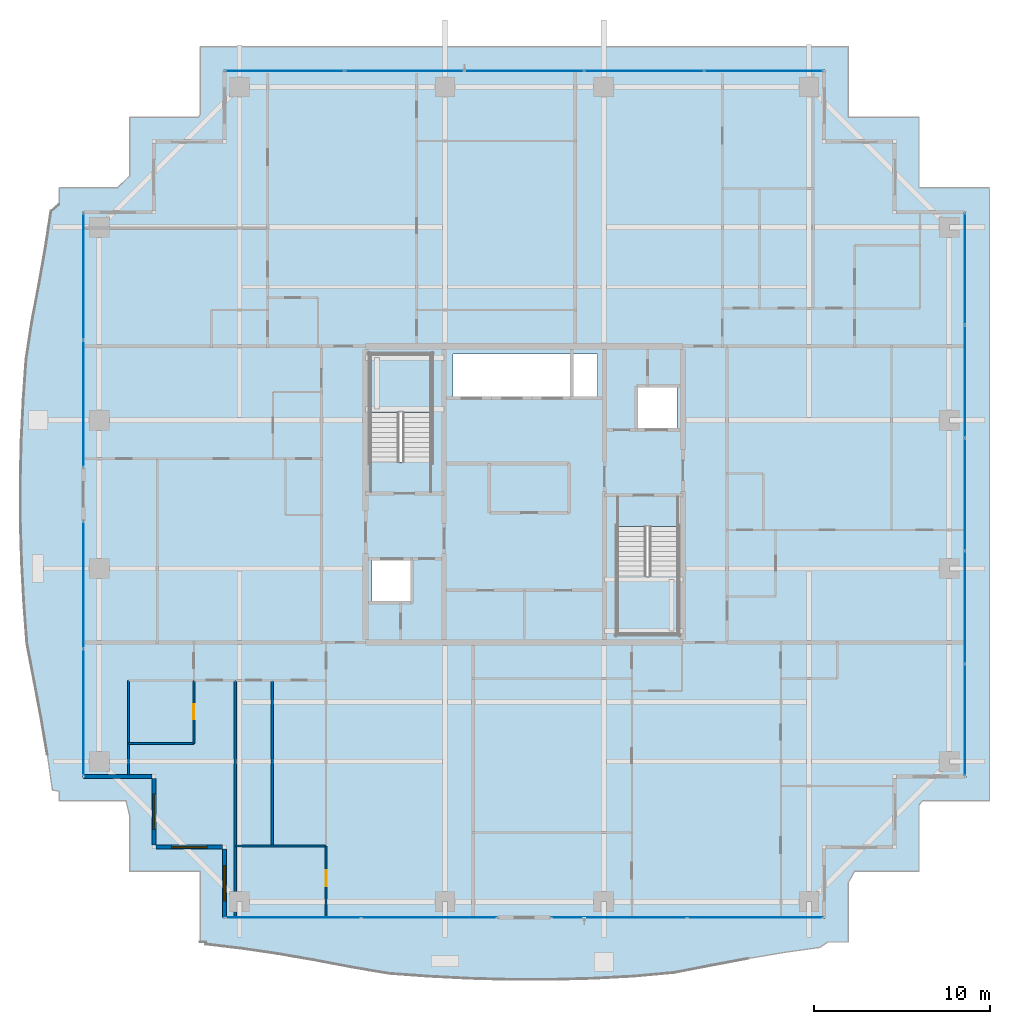
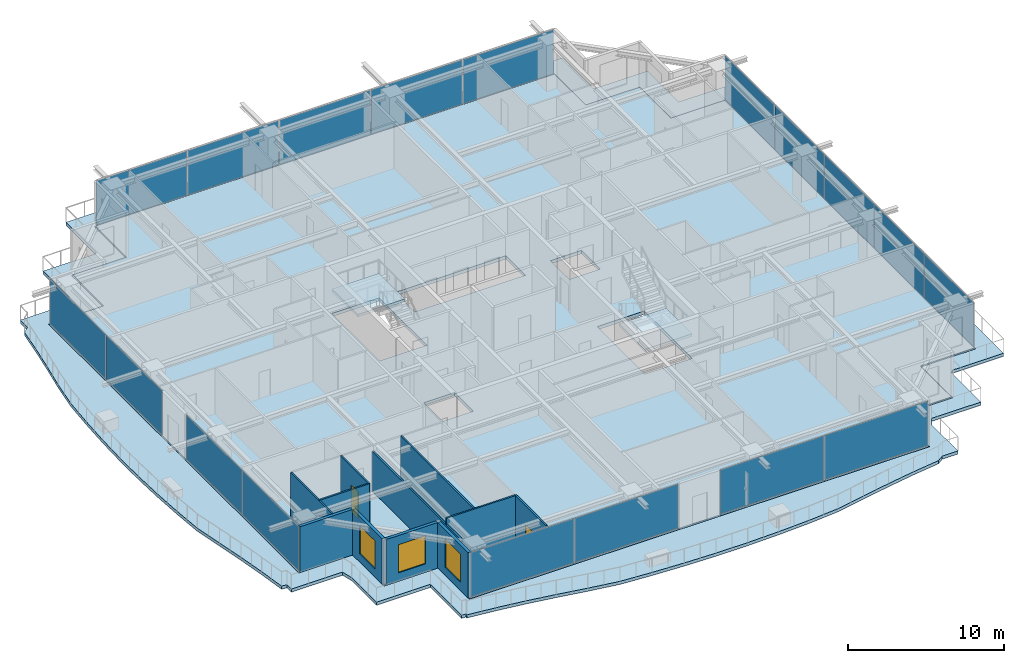
# One storey, part 23 of 37: 18 plates, 11 walls, 4 slabs, 3 windows, 2 doors, 5 openings, 8 elements without a shape of their own.
"""IFC4 building model written with IfcOpenShell, lengths in metres."""

from ifc_helpers import new_model, si_unit, direction, frame, frame_2d, origin, origin_2d, place, context, subcontext, project, spatial, polyline, rectangle, outline, extrude, source, transform, mapped, material, layer, layer_set, type_object, element, fill, aggregate, save


model = new_model("IFC4")

# Units and contexts
model_context = context("Model", 3, precision=1e-05, world=origin(), true_north=direction((0.0, 1.0)))
body_context = subcontext(model_context, "Body", "Model", "MODEL_VIEW")
ifc_project = project(units=[si_unit("LENGTHUNIT", "METRE"), si_unit("AREAUNIT", "SQUARE_METRE"), si_unit("VOLUMEUNIT", "CUBIC_METRE"), si_unit("PLANEANGLEUNIT", "RADIAN"), si_unit("MASSUNIT", "GRAM", prefix="KILO")], contexts=[model_context])

# Site, building, storey
site_placement = place(None, origin())
site = spatial("IfcSite", under=ifc_project, at=site_placement, CompositionType="ELEMENT")
building_placement = place(site_placement, origin())
building = spatial("IfcBuilding", under=site, at=building_placement, Name="Serunith Strait Residences", CompositionType="ELEMENT")
storey_placement = place(building_placement, frame((0.0, 0.0, 218.14990234375)))
storey = spatial("IfcBuildingStorey", under=building, at=storey_placement, Name="L54", CompositionType="ELEMENT", Elevation=218.14990234375)

# Slab
ifc_material_1 = material(Name="Concrete C50/60", Category="concrete")
ifc_layer_1 = layer(ifc_material_1, 0.239990234375, Name="Concrete C50/60")
ifc_layer_set_1 = layer_set([ifc_layer_1], Name="Concrete C50/60")
slab_type_1 = type_object("IfcSlabType", Name="SLB-BALC-240", PredefinedType="FLOOR", material=ifc_layer_set_1)
slab_1_placement = place(storey_placement, frame((0.0, 0.0, -0.289794921875)))
element("IfcSlab", 1, at=slab_1_placement, inside=storey, type_object=slab_type_1, Name="L54 Planted Vertical-Forest Balcony Slab", PredefinedType="FLOOR", context=body_context, shape_type="SweptSolid", body=[
    extrude(outline(polyline([(14.02001953125, -0.179931640625), (14.02001953125, 3.820068359375), (10.02001953125, 3.820068359375), (10.02001953125, 6.98828125), (9.8154296875, 7.820068359375), (6.02001953125, 7.820068359375), (6.02001953125, 8.3701171875), (5.64404296875, 8.432861328125), (5.3525390625, 10.458984375), (5.005615234375, 12.507080078125), (4.614013671875, 14.594970703125), (4.2041015625, 16.7412109375), (4.030029296875, 19.005859375), (3.904541015625, 21.3056640625), (3.83447265625, 23.62890625), (3.826904296875, 25.9619140625), (3.88232421875, 28.289306640625), (3.9951171875, 30.596923828125), (4.154296875, 32.873291015625), (4.49072265625, 35.061279296875), (4.89111328125, 37.16650390625), (5.253173828125, 39.225830078125), (5.561767578125, 41.25830078125), (6.02001953125, 41.644287109375), (6.02001953125, 42.580078125), (9.319580078125, 42.580078125), (10.02001953125, 43.233154296875), (10.02001953125, 46.580078125), (13.9189453125, 46.580078125), (14.02001953125, 46.734619140625), (14.02001953125, 50.580078125), (50.780029296875, 50.580078125), (50.780029296875, 46.580078125), (54.780029296875, 46.580078125), (54.780029296875, 42.580078125), (58.780029296875, 42.580078125), (58.780029296875, 7.820068359375), (54.97509765625, 7.820068359375), (54.780029296875, 7.597900390625), (54.780029296875, 3.820068359375), (51.12060546875, 3.820068359375), (50.780029296875, 3.201416015625), (50.780029296875, -0.179931640625), (49.6103515625, -0.179931640625), (49.1689453125, -0.488525390625), (47.14501953125, -0.77294921875), (45.101318359375, -1.1162109375), (43.018310546875, -1.508056640625), (40.8759765625, -1.9228515625), (38.615234375, -2.12841796875), (36.307861328125, -2.25), (33.976318359375, -2.314208984375), (31.6357421875, -2.314697265625), (29.302001953125, -2.252197265625), (26.990234375, -2.133544921875), (24.711181640625, -1.97021484375), (22.537109375, -1.596923828125), (20.438232421875, -1.1982421875), (18.38330078125, -0.84375), (16.353271484375, -0.54638671875), (14.33251953125, -0.306884765625), (14.33349609375, -0.179931640625), (14.02001953125, -0.179931640625)]), holes=[polyline([(49.455078125, 1.14501953125), (49.455078125, 5.14501953125), (53.455078125, 5.14501953125), (53.455078125, 9.14501953125), (57.455078125, 9.14501953125), (57.455078125, 41.2548828125), (53.455078125, 41.2548828125), (53.455078125, 45.2548828125), (49.455078125, 45.2548828125), (49.455078125, 49.2548828125), (15.344970703125, 49.2548828125), (15.344970703125, 45.2548828125), (11.344970703125, 45.2548828125), (11.344970703125, 41.2548828125), (7.344970703125, 41.2548828125), (7.344970703125, 9.14501953125), (11.344970703125, 9.14501953125), (11.344970703125, 5.14501953125), (15.344970703125, 5.14501953125), (15.344970703125, 1.14501953125), (49.455078125, 1.14501953125)])]), origin(), (0.0, 0.0, 1.0), 0.239990234375),
])

# Stair, slab
stair_type_1 = type_object("IfcStairType", Name="STR-CORE-1", PredefinedType="HALF_TURN_STAIR", material=ifc_material_1)
stair_1_placement = place(storey_placement, origin())
stair_1 = element("IfcStair", 2, at=stair_1_placement, inside=storey, type_object=stair_type_1, Name="L54 Protected Escape Stair ST-1", PredefinedType="HALF_TURN_STAIR")
ifc_layer_2 = layer(ifc_material_1, 0.199951171875, Name="Concrete C50/60")
ifc_layer_set_2 = layer_set([ifc_layer_2], Name="Concrete C50/60")
slab_type_2 = type_object("IfcSlabType", Name="SLB-LAND-200", PredefinedType="LANDING", material=ifc_layer_set_2)
slab_2_placement = place(storey_placement, frame((0.0, 0.0, 1.72509765625)))
slab_2 = element("IfcSlab", 3, at=slab_2_placement, type_object=slab_type_2, Name="ST-1 landing 1", PredefinedType="LANDING", context=body_context, shape_type="SweptSolid", body=[
    extrude(outline(polyline([(27.14990234375, 29.830078125), (27.14990234375, 33.14990234375), (23.64990234375, 33.14990234375), (23.64990234375, 29.830078125), (27.14990234375, 29.830078125)])), origin(), (0.0, 0.0, 1.0), 0.199951171875),
])
aggregate(stair_1, [slab_2])

stair_type_2 = type_object("IfcStairType", Name="STR-CORE-2", PredefinedType="HALF_TURN_STAIR", material=ifc_material_1)
stair_2_placement = place(storey_placement, origin())
stair_2 = element("IfcStair", 4, at=stair_2_placement, inside=storey, type_object=stair_type_2, Name="L54 Protected Escape Stair ST-2", PredefinedType="HALF_TURN_STAIR")
slab_3_placement = place(storey_placement, frame((0.0, 0.0, 1.72509765625)))
slab_3 = element("IfcSlab", 5, at=slab_3_placement, type_object=slab_type_2, Name="ST-2 landing 1", PredefinedType="LANDING", context=body_context, shape_type="SweptSolid", body=[
    extrude(outline(polyline([(37.64990234375, 20.570068359375), (37.64990234375, 17.25), (41.14990234375, 17.25), (41.14990234375, 20.570068359375), (37.64990234375, 20.570068359375)])), origin(), (0.0, 0.0, 1.0), 0.199951171875),
])
aggregate(stair_2, [slab_3])

# Slab
ifc_material_2 = material(Name="Concrete C60/75", Category="concrete")
ifc_layer_3 = layer(ifc_material_2, 0.260009765625, Name="Concrete C60/75")
ifc_layer_set_3 = layer_set([ifc_layer_3], Name="Concrete C60/75")
slab_type_3 = type_object("IfcSlabType", Name="SLB-TWR-275-Z3", PredefinedType="FLOOR", material=ifc_layer_set_3)
slab_4_placement = place(storey_placement, frame((0.0, 0.0, -0.260009765625)))
element("IfcSlab", 6, at=slab_4_placement, inside=storey, type_object=slab_type_3, Name="L54 Structural Floor Plate", PredefinedType="FLOOR", context=body_context, shape_type="SweptSolid", body=[
    extrude(outline(polyline([(15.39990234375, 5.199951171875), (11.39990234375, 5.199951171875), (11.39990234375, 9.199951171875), (7.39990234375, 9.199951171875), (7.39990234375, 41.199951171875), (11.39990234375, 41.199951171875), (11.39990234375, 45.199951171875), (15.39990234375, 45.199951171875), (15.39990234375, 49.199951171875), (49.39990234375, 49.199951171875), (49.39990234375, 45.199951171875), (53.39990234375, 45.199951171875), (53.39990234375, 41.199951171875), (57.39990234375, 41.199951171875), (57.39990234375, 9.199951171875), (53.39990234375, 9.199951171875), (53.39990234375, 5.199951171875), (49.39990234375, 5.199951171875), (49.39990234375, 1.199951171875), (15.39990234375, 1.199951171875), (15.39990234375, 5.199951171875)]), holes=[polyline([(41.14990234375, 23.3701171875), (37.64990234375, 23.3701171875), (37.64990234375, 17.25), (41.14990234375, 17.25), (41.14990234375, 23.3701171875)]), polyline([(38.75, 31.25), (38.75, 28.85009765625), (41.050048828125, 28.85009765625), (41.050048828125, 31.25), (38.75, 31.25)]), polyline([(36.550048828125, 33.14990234375), (28.35009765625, 33.14990234375), (28.35009765625, 30.64990234375), (36.550048828125, 30.64990234375), (36.550048828125, 33.14990234375)]), polyline([(23.64990234375, 33.14990234375), (23.64990234375, 27.030029296875), (27.14990234375, 27.030029296875), (27.14990234375, 33.14990234375), (23.64990234375, 33.14990234375)]), polyline([(23.75, 21.550048828125), (23.75, 19.14990234375), (26.050048828125, 19.14990234375), (26.050048828125, 21.550048828125), (23.75, 21.550048828125)])]), origin(), (0.0, 0.0, 1.0), 0.260009765625),
])

# Curtain wall, plates
ifc_material_3 = material(Name="Pale-Champagne Anodised Aluminium", Category="aluminium")
ifc_layer_4 = layer(ifc_material_3, 0.199951171875, Name="Pale-Champagne Anodised Aluminium")
ifc_layer_set_4 = layer_set([ifc_layer_4], Name="Pale-Champagne Anodised Aluminium")
curtain_wall_type = type_object("IfcCurtainWallType", Name="CW-SYS4", PredefinedType="NOTDEFINED", material=ifc_layer_set_4)
curtain_wall_1_placement = place(storey_placement, origin())
curtain_wall_1 = element("IfcCurtainWall", 7, at=curtain_wall_1_placement, inside=storey, type_object=curtain_wall_type, Name="L54 S Unitised Fritted Curtain Wall", PredefinedType="NOTDEFINED")
ifc_material_4 = material(Name="Ceramic-Printed Solar-Control Glazing 28mm", Category="glass")
ifc_layer_5 = layer(ifc_material_4, 0.028076171875, Name="Ceramic-Printed Solar-Control Glazing 28mm")
ifc_layer_set_5 = layer_set([ifc_layer_5], Name="Ceramic-Printed Solar-Control Glazing 28mm")
plate_type = type_object("IfcPlateType", Name="CW-SYS4-PNL", PredefinedType="CURTAIN_PANEL", material=ifc_layer_set_5)
shared_shape_1 = source(origin(), body_context, "Body", "SweptSolid", [
    extrude(rectangle(XDim=7.652587890625, YDim=0.028076171875, at=origin_2d()), origin(), (0.0, 0.0, 1.0), 3.455078125),
])
plate_1_placement = place(storey_placement, frame((19.291259765625, 1.199951171875, 0.06005859375), z_axis=(0.0, 0.0, 1.0), x_axis=(1.0, 0.0, 0.0)))
plate_1 = element("IfcPlate", 8, at=plate_1_placement, type_object=plate_type, Name="CW-4 panel 1.1", PredefinedType="CURTAIN_PANEL", context=body_context, shape_type="MappedRepresentation", body=[
    mapped(shared_shape_1, transform((0.0, 0.0, 0.0), scale=1.0)),
])
plate_2_placement = place(storey_placement, frame((27.0087890625, 1.199951171875, 0.06005859375), z_axis=(0.0, 0.0, 1.0), x_axis=(1.0, 0.0, 0.0)))
plate_2 = element("IfcPlate", 9, at=plate_2_placement, type_object=plate_type, Name="CW-4 panel 2.1", PredefinedType="CURTAIN_PANEL", context=body_context, shape_type="MappedRepresentation", body=[
    mapped(shared_shape_1, transform((0.0, 0.0, 0.0), scale=1.0)),
])
aggregate(curtain_wall_1, [plate_1, plate_2])

curtain_wall_2_placement = place(storey_placement, origin())
curtain_wall_2 = element("IfcCurtainWall", 10, at=curtain_wall_2_placement, inside=storey, type_object=curtain_wall_type, Name="L54 S Unitised Fritted Curtain Wall", PredefinedType="NOTDEFINED")
plate_3_placement = place(storey_placement, frame((37.791259765625, 1.199951171875, 0.06005859375), z_axis=(0.0, 0.0, 1.0), x_axis=(1.0, 0.0, 0.0)))
plate_3 = element("IfcPlate", 11, at=plate_3_placement, type_object=plate_type, Name="CW-4 panel 1.1", PredefinedType="CURTAIN_PANEL", context=body_context, shape_type="MappedRepresentation", body=[
    mapped(shared_shape_1, transform((0.0, 0.0, 0.0), scale=1.0)),
])
plate_4_placement = place(storey_placement, frame((45.5087890625, 1.199951171875, 0.06005859375), z_axis=(0.0, 0.0, 1.0), x_axis=(1.0, 0.0, 0.0)))
plate_4 = element("IfcPlate", 12, at=plate_4_placement, type_object=plate_type, Name="CW-4 panel 2.1", PredefinedType="CURTAIN_PANEL", context=body_context, shape_type="MappedRepresentation", body=[
    mapped(shared_shape_1, transform((0.0, 0.0, 0.0), scale=1.0)),
])
aggregate(curtain_wall_2, [plate_3, plate_4])

curtain_wall_3_placement = place(storey_placement, origin())
curtain_wall_3 = element("IfcCurtainWall", 13, at=curtain_wall_3_placement, inside=storey, type_object=curtain_wall_type, Name="L54 E Unitised Fritted Curtain Wall", PredefinedType="NOTDEFINED")
shared_shape_2 = source(origin(), body_context, "Body", "SweptSolid", [
    extrude(rectangle(XDim=6.302490234375, YDim=0.028076171875, at=origin_2d()), origin(), (0.0, 0.0, 1.0), 3.455078125),
])
plate_5_placement = place(storey_placement, frame((57.39990234375, 12.416259765625, 0.06005859375), z_axis=(0.0, 0.0, 1.0), x_axis=(0.0, 1.0, 0.0)))
plate_5 = element("IfcPlate", 14, at=plate_5_placement, type_object=plate_type, Name="CW-4 panel 1.1", PredefinedType="CURTAIN_PANEL", context=body_context, shape_type="MappedRepresentation", body=[
    mapped(shared_shape_2, transform((0.0, 0.0, 0.0), scale=1.0)),
])
plate_6_placement = place(storey_placement, frame((57.39990234375, 37.983642578125, 0.06005859375), z_axis=(0.0, 0.0, 1.0), x_axis=(0.0, 1.0, 0.0)))
plate_6 = element("IfcPlate", 15, at=plate_6_placement, type_object=plate_type, Name="CW-4 panel 5.1", PredefinedType="CURTAIN_PANEL", context=body_context, shape_type="MappedRepresentation", body=[
    mapped(shared_shape_2, transform((0.0, 0.0, 0.0), scale=1.0)),
])
shared_shape_3 = source(origin(), body_context, "Body", "SweptSolid", [
    extrude(rectangle(XDim=6.3349609375, YDim=0.028076171875, at=origin_2d()), origin(), (0.0, 0.0, 1.0), 3.455078125),
])
plate_7_placement = place(storey_placement, frame((57.39990234375, 18.800048828125, 0.06005859375), z_axis=(0.0, 0.0, 1.0), x_axis=(0.0, 1.0, 0.0)))
plate_7 = element("IfcPlate", 16, at=plate_7_placement, type_object=plate_type, Name="CW-4 panel 2.1", PredefinedType="CURTAIN_PANEL", context=body_context, shape_type="MappedRepresentation", body=[
    mapped(shared_shape_3, transform((0.0, 0.0, 0.0), scale=1.0)),
])
plate_8_placement = place(storey_placement, frame((57.39990234375, 25.199951171875, 0.06005859375), z_axis=(0.0, 0.0, 1.0), x_axis=(0.0, 1.0, 0.0)))
plate_8 = element("IfcPlate", 17, at=plate_8_placement, type_object=plate_type, Name="CW-4 panel 3.1", PredefinedType="CURTAIN_PANEL", context=body_context, shape_type="MappedRepresentation", body=[
    mapped(shared_shape_3, transform((0.0, 0.0, 0.0), scale=1.0)),
])
plate_9_placement = place(storey_placement, frame((57.39990234375, 31.60009765625, 0.06005859375), z_axis=(0.0, 0.0, 1.0), x_axis=(0.0, 1.0, 0.0)))
plate_9 = element("IfcPlate", 18, at=plate_9_placement, type_object=plate_type, Name="CW-4 panel 4.1", PredefinedType="CURTAIN_PANEL", context=body_context, shape_type="MappedRepresentation", body=[
    mapped(shared_shape_3, transform((0.0, 0.0, 0.0), scale=1.0)),
])
aggregate(curtain_wall_3, [plate_5, plate_7, plate_8, plate_9, plate_6])

curtain_wall_4_placement = place(storey_placement, origin())
curtain_wall_4 = element("IfcCurtainWall", 19, at=curtain_wall_4_placement, inside=storey, type_object=curtain_wall_type, Name="L54 N Unitised Fritted Curtain Wall", PredefinedType="NOTDEFINED")
shared_shape_4 = source(origin(), body_context, "Body", "SweptSolid", [
    extrude(rectangle(XDim=6.702392578125, YDim=0.028076171875, at=origin_2d()), origin(), (0.0, 0.0, 1.0), 3.455078125),
])
plate_10_placement = place(storey_placement, frame((45.983642578125, 49.199951171875, 0.06005859375), z_axis=(0.0, 0.0, 1.0), x_axis=(-1.0, 0.0, 0.0)))
plate_10 = element("IfcPlate", 20, at=plate_10_placement, type_object=plate_type, Name="CW-4 panel 1.1", PredefinedType="CURTAIN_PANEL", context=body_context, shape_type="MappedRepresentation", body=[
    mapped(shared_shape_4, transform((0.0, 0.0, 0.0), scale=1.0)),
])
plate_11_placement = place(storey_placement, frame((18.816162109375, 49.199951171875, 0.06005859375), z_axis=(0.0, 0.0, 1.0), x_axis=(-1.0, 0.0, 0.0)))
plate_11 = element("IfcPlate", 21, at=plate_11_placement, type_object=plate_type, Name="CW-4 panel 5.1", PredefinedType="CURTAIN_PANEL", context=body_context, shape_type="MappedRepresentation", body=[
    mapped(shared_shape_4, transform((0.0, 0.0, 0.0), scale=1.0)),
])
shared_shape_5 = source(origin(), body_context, "Body", "SweptSolid", [
    extrude(rectangle(XDim=6.735107421875, YDim=0.028076171875, at=origin_2d()), origin(), (0.0, 0.0, 1.0), 3.455078125),
])
plate_12_placement = place(storey_placement, frame((39.199951171875, 49.199951171875, 0.06005859375), z_axis=(0.0, 0.0, 1.0), x_axis=(-1.0, 0.0, 0.0)))
plate_12 = element("IfcPlate", 22, at=plate_12_placement, type_object=plate_type, Name="CW-4 panel 2.1", PredefinedType="CURTAIN_PANEL", context=body_context, shape_type="MappedRepresentation", body=[
    mapped(shared_shape_5, transform((0.0, 0.0, 0.0), scale=1.0)),
])
plate_13_placement = place(storey_placement, frame((32.39990234375, 49.199951171875, 0.06005859375), z_axis=(0.0, 0.0, 1.0), x_axis=(-1.0, 0.0, 0.0)))
plate_13 = element("IfcPlate", 23, at=plate_13_placement, type_object=plate_type, Name="CW-4 panel 3.1", PredefinedType="CURTAIN_PANEL", context=body_context, shape_type="MappedRepresentation", body=[
    mapped(shared_shape_5, transform((0.0, 0.0, 0.0), scale=1.0)),
])
plate_14_placement = place(storey_placement, frame((25.60009765625, 49.199951171875, 0.06005859375), z_axis=(0.0, 0.0, 1.0), x_axis=(-1.0, 0.0, 0.0)))
plate_14 = element("IfcPlate", 24, at=plate_14_placement, type_object=plate_type, Name="CW-4 panel 4.1", PredefinedType="CURTAIN_PANEL", context=body_context, shape_type="MappedRepresentation", body=[
    mapped(shared_shape_5, transform((0.0, 0.0, 0.0), scale=1.0)),
])
aggregate(curtain_wall_4, [plate_10, plate_12, plate_13, plate_14, plate_11])

curtain_wall_5_placement = place(storey_placement, origin())
curtain_wall_5 = element("IfcCurtainWall", 25, at=curtain_wall_5_placement, inside=storey, type_object=curtain_wall_type, Name="L54 W Unitised Fritted Curtain Wall", PredefinedType="NOTDEFINED")
shared_shape_6 = source(origin(), body_context, "Body", "SweptSolid", [
    extrude(rectangle(XDim=7.152587890625, YDim=0.028076171875, at=origin_2d()), origin(), (0.0, 0.0, 1.0), 3.455078125),
])
plate_15_placement = place(storey_placement, frame((7.39990234375, 37.558837890625, 0.06005859375), z_axis=(0.0, 0.0, 1.0), x_axis=(0.0, -1.0, 0.0)))
plate_15 = element("IfcPlate", 26, at=plate_15_placement, type_object=plate_type, Name="CW-4 panel 1.1", PredefinedType="CURTAIN_PANEL", context=body_context, shape_type="MappedRepresentation", body=[
    mapped(shared_shape_6, transform((0.0, 0.0, 0.0), scale=1.0)),
])
plate_16_placement = place(storey_placement, frame((7.39990234375, 30.34130859375, 0.06005859375), z_axis=(0.0, 0.0, 1.0), x_axis=(0.0, -1.0, 0.0)))
plate_16 = element("IfcPlate", 27, at=plate_16_placement, type_object=plate_type, Name="CW-4 panel 2.1", PredefinedType="CURTAIN_PANEL", context=body_context, shape_type="MappedRepresentation", body=[
    mapped(shared_shape_6, transform((0.0, 0.0, 0.0), scale=1.0)),
])
aggregate(curtain_wall_5, [plate_15, plate_16])

curtain_wall_6_placement = place(storey_placement, origin())
curtain_wall_6 = element("IfcCurtainWall", 28, at=curtain_wall_6_placement, inside=storey, type_object=curtain_wall_type, Name="L54 W Unitised Fritted Curtain Wall", PredefinedType="NOTDEFINED")
plate_17_placement = place(storey_placement, frame((7.39990234375, 20.058837890625, 0.06005859375), z_axis=(0.0, 0.0, 1.0), x_axis=(0.0, -1.0, 0.0)))
plate_17 = element("IfcPlate", 29, at=plate_17_placement, type_object=plate_type, Name="CW-4 panel 1.1", PredefinedType="CURTAIN_PANEL", context=body_context, shape_type="MappedRepresentation", body=[
    mapped(shared_shape_6, transform((0.0, 0.0, 0.0), scale=1.0)),
])
plate_18_placement = place(storey_placement, frame((7.39990234375, 12.84130859375, 0.06005859375), z_axis=(0.0, 0.0, 1.0), x_axis=(0.0, -1.0, 0.0)))
plate_18 = element("IfcPlate", 30, at=plate_18_placement, type_object=plate_type, Name="CW-4 panel 2.1", PredefinedType="CURTAIN_PANEL", context=body_context, shape_type="MappedRepresentation", body=[
    mapped(shared_shape_6, transform((0.0, 0.0, 0.0), scale=1.0)),
])
aggregate(curtain_wall_6, [plate_17, plate_18])

# Wall
ifc_material_5 = material(Name="Pale-Champagne Aluminium Insulated Panel", Category="aluminium")
ifc_layer_6 = layer(ifc_material_5, 0.219970703125, Name="Pale-Champagne Aluminium Insulated Panel")
ifc_layer_set_6 = layer_set([ifc_layer_6], Name="Pale-Champagne Aluminium Insulated Panel")
wall_type_1 = type_object("IfcWallType", Name="EW-ALUM-220", PredefinedType="ELEMENTEDWALL", material=ifc_layer_set_6)
wall_1_placement = place(storey_placement, frame((7.39990234375, 9.199951171875, 0.0), z_axis=(0.0, 0.0, 1.0), x_axis=(1.0, 0.0, 0.0)))
element("IfcWall", 31, at=wall_1_placement, inside=storey, type_object=wall_type_1, Name="L54 Girih Serrated Corner Wall 17", PredefinedType="ELEMENTEDWALL", context=body_context, shape_type="SweptSolid", body=[
    extrude(rectangle(XDim=3.89013671875, YDim=0.219970703125, at=frame_2d((1.945068359375, 0.0))), origin(), (0.0, 0.0, 1.0), 3.5751953125),
])

# Wall, opening, window
wall_2_placement = place(storey_placement, frame((11.39990234375, 9.090087890625, 0.0), z_axis=(0.0, 0.0, 1.0), x_axis=(0.0, -1.0, 0.0)))
wall_2 = element("IfcWall", 32, at=wall_2_placement, inside=storey, type_object=wall_type_1, Name="L54 Girih Serrated Corner Wall 18", PredefinedType="ELEMENTEDWALL", context=body_context, shape_type="SweptSolid", body=[
    extrude(rectangle(XDim=3.780029296875, YDim=0.219970703125, at=frame_2d((1.89013671875, 0.0))), origin(), (0.0, 0.0, 1.0), 3.5751953125),
])
opening_1_placement = place(wall_2_placement, frame((0.889892578125, 0.0, 0.64990234375)))
opening_1 = element("IfcOpeningElement", 33, at=opening_1_placement, cuts=wall_2, Name="Opening W-04", PredefinedType="OPENING", context=body_context, shape_type="SweptSolid", body=[
    extrude(rectangle(XDim=2.0, YDim=2.199951171875, at=frame_2d((1.0, 1.10009765625))), frame((0.0, 0.1201171875, 0.0), z_axis=(0.0, -1.0, 0.0), x_axis=(1.0, 0.0, 0.0)), (0.0, 0.0, 1.0), 0.239990234375),
])
ifc_material_6 = material(Name="Ceramic-Fritted Operable Aluminium Window Glass", Category="aluminium")
window_type = type_object("IfcWindowType", Name="WIN-C4", PartitioningType="TRIPLE_PANEL_VERTICAL", PredefinedType="WINDOW", material=ifc_material_6)
shared_shape_7 = source(origin(), body_context, "Body", "SweptSolid", [
    extrude(rectangle(XDim=2.0, YDim=2.199951171875, at=frame_2d((1.0, 1.10009765625))), frame((0.0, 0.030029296875, 0.0), z_axis=(0.0, -1.0, 0.0), x_axis=(1.0, 0.0, 0.0)), (0.0, 0.0, 1.0), 0.06005859375),
])
window_1_placement = place(opening_1_placement, origin())
window_1 = element("IfcWindow", 34, at=window_1_placement, inside=storey, type_object=window_type, Name="L54 Corner Operable Fritted Window 18", OverallHeight=2.199951171875, OverallWidth=2.0, PartitioningType="SINGLE_PANEL", PredefinedType="WINDOW", context=body_context, shape_type="MappedRepresentation", body=[
    mapped(shared_shape_7, transform((0.0, 0.0, 0.0), scale=1.0)),
])
fill(opening_1, window_1)

wall_3_placement = place(storey_placement, frame((11.510009765625, 5.199951171875, 0.0), z_axis=(0.0, 0.0, 1.0), x_axis=(1.0, 0.0, 0.0)))
wall_3 = element("IfcWall", 35, at=wall_3_placement, inside=storey, type_object=wall_type_1, Name="L54 Girih Serrated Corner Wall 19", PredefinedType="ELEMENTEDWALL", context=body_context, shape_type="SweptSolid", body=[
    extrude(rectangle(XDim=3.780029296875, YDim=0.219970703125, at=frame_2d((1.89013671875, 0.0))), origin(), (0.0, 0.0, 1.0), 3.5751953125),
])
opening_2_placement = place(wall_3_placement, frame((0.889892578125, 0.0, 0.64990234375)))
opening_2 = element("IfcOpeningElement", 36, at=opening_2_placement, cuts=wall_3, Name="Opening W-04", PredefinedType="OPENING", context=body_context, shape_type="SweptSolid", body=[
    extrude(rectangle(XDim=2.0, YDim=2.199951171875, at=frame_2d((1.0, 1.10009765625))), frame((0.0, 0.1201171875, 0.0), z_axis=(0.0, -1.0, 0.0), x_axis=(1.0, 0.0, 0.0)), (0.0, 0.0, 1.0), 0.239990234375),
])
window_2_placement = place(opening_2_placement, origin())
window_2 = element("IfcWindow", 37, at=window_2_placement, inside=storey, type_object=window_type, Name="L54 Corner Operable Fritted Window 19", OverallHeight=2.199951171875, OverallWidth=2.0, PartitioningType="SINGLE_PANEL", PredefinedType="WINDOW", context=body_context, shape_type="MappedRepresentation", body=[
    mapped(shared_shape_7, transform((0.0, 0.0, 0.0), scale=1.0)),
])
fill(opening_2, window_2)

wall_4_placement = place(storey_placement, frame((15.39990234375, 5.090087890625, 0.0), z_axis=(0.0, 0.0, 1.0), x_axis=(0.0, -1.0, 0.0)))
wall_4 = element("IfcWall", 38, at=wall_4_placement, inside=storey, type_object=wall_type_1, Name="L54 Girih Serrated Corner Wall 20", PredefinedType="ELEMENTEDWALL", context=body_context, shape_type="SweptSolid", body=[
    extrude(rectangle(XDim=3.89013671875, YDim=0.219970703125, at=frame_2d((1.945068359375, 0.0))), origin(), (0.0, 0.0, 1.0), 3.5751953125),
])
opening_3_placement = place(wall_4_placement, frame((0.945068359375, 0.0, 0.64990234375)))
opening_3 = element("IfcOpeningElement", 39, at=opening_3_placement, cuts=wall_4, Name="Opening W-04", PredefinedType="OPENING", context=body_context, shape_type="SweptSolid", body=[
    extrude(rectangle(XDim=2.0, YDim=2.199951171875, at=frame_2d((1.0, 1.10009765625))), frame((0.0, 0.1201171875, 0.0), z_axis=(0.0, -1.0, 0.0), x_axis=(1.0, 0.0, 0.0)), (0.0, 0.0, 1.0), 0.239990234375),
])
window_3_placement = place(opening_3_placement, origin())
window_3 = element("IfcWindow", 40, at=window_3_placement, inside=storey, type_object=window_type, Name="L54 Corner Operable Fritted Window 20", OverallHeight=2.199951171875, OverallWidth=2.0, PartitioningType="SINGLE_PANEL", PredefinedType="WINDOW", context=body_context, shape_type="MappedRepresentation", body=[
    mapped(shared_shape_7, transform((0.0, 0.0, 0.0), scale=1.0)),
])
fill(opening_3, window_3)

# Wall, opening, door
ifc_material_7 = material(Name="Lightweight steel-stud gypsum partition", Category="steel")
ifc_layer_7 = layer(ifc_material_7, 0.1201171875, Name="Lightweight steel-stud gypsum partition")
ifc_layer_set_7 = layer_set([ifc_layer_7], Name="Lightweight steel-stud gypsum partition")
wall_type_2 = type_object("IfcWallType", Name="IW-PART-120", PredefinedType="PARTITIONING", material=ifc_layer_set_7)
wall_5_placement = place(storey_placement, frame((21.159912109375, 1.294921875, 0.0), z_axis=(0.0, 0.0, 1.0), x_axis=(0.0, 1.0, 0.0)))
wall_5 = element("IfcWall", 41, at=wall_5_placement, inside=storey, type_object=wall_type_2, Name="L54 Partition Wall 033", PredefinedType="PARTITIONING", context=body_context, shape_type="SweptSolid", body=[
    extrude(rectangle(XDim=3.9560546875, YDim=0.1201171875, at=frame_2d((1.97802734375, 0.0))), origin(), (0.0, 0.0, 1.0), 3.590087890625),
])
opening_4_placement = place(wall_5_placement, frame((1.680908203125, 0.0, 0.0)))
opening_4 = element("IfcOpeningElement", 42, at=opening_4_placement, cuts=wall_5, Name="Opening D-RM900", PredefinedType="OPENING", context=body_context, shape_type="SweptSolid", body=[
    extrude(rectangle(XDim=0.89990234375, YDim=2.10009765625, at=frame_2d((0.449951171875, 1.050048828125))), frame((0.0, 0.070068359375, 0.0), z_axis=(0.0, -1.0, 0.0), x_axis=(1.0, 0.0, 0.0)), (0.0, 0.0, 1.0), 0.14013671875),
])
ifc_material_8 = material(Name="Engineered timber flush bedroom door", Category="wood")
door_type_1 = type_object("IfcDoorType", Name="ID-ROOM-900", OperationType="NOTDEFINED", PredefinedType="DOOR", material=ifc_material_8)
shared_shape_8 = source(origin(), body_context, "Body", "SweptSolid", [
    extrude(rectangle(XDim=0.89990234375, YDim=2.10009765625, at=frame_2d((0.449951171875, 1.050048828125))), frame((0.0, 0.02490234375, 0.0), z_axis=(0.0, -1.0, 0.0), x_axis=(1.0, 0.0, 0.0)), (0.0, 0.0, 1.0), 0.050048828125),
])
door_1_placement = place(opening_4_placement, origin())
door_1 = element("IfcDoor", 43, at=door_1_placement, inside=storey, type_object=door_type_1, Name="L54 Study 1 5401 Door", OperationType="SINGLE_SWING_RIGHT", OverallHeight=2.10009765625, OverallWidth=0.89990234375, PredefinedType="DOOR", context=body_context, shape_type="MappedRepresentation", body=[
    mapped(shared_shape_8, transform((0.0, 0.0, 0.0), scale=1.0)),
])
fill(opening_4, door_1)

# Walls
wall_6_placement = place(storey_placement, frame((16.010009765625, 5.2509765625, 0.0), z_axis=(0.0, 0.0, 1.0), x_axis=(1.0, 0.0, 0.0)))
element("IfcWall", 44, at=wall_6_placement, inside=storey, type_object=wall_type_2, Name="L54 Partition Wall 035", PredefinedType="PARTITIONING", context=body_context, shape_type="SweptSolid", body=[
    extrude(rectangle(XDim=5.14990234375, YDim=0.1201171875, at=frame_2d((2.574951171875, 0.0))), origin(), (0.0, 0.0, 1.0), 3.590087890625),
])
wall_7_placement = place(storey_placement, frame((16.010009765625, 1.294921875, 0.0), z_axis=(0.0, 0.0, 1.0), x_axis=(0.0, 1.0, 0.0)))
element("IfcWall", 45, at=wall_7_placement, inside=storey, type_object=wall_type_2, Name="L54 Partition Wall 036", PredefinedType="PARTITIONING", context=body_context, shape_type="SweptSolid", body=[
    extrude(rectangle(XDim=13.35498046875, YDim=0.1201171875, at=frame_2d((6.677490234375, 0.0))), origin(), (0.0, 0.0, 1.0), 3.1220703125),
])
wall_8_placement = place(storey_placement, frame((18.110107421875, 5.2509765625, 0.0), z_axis=(0.0, 0.0, 1.0), x_axis=(0.0, 1.0, 0.0)))
element("IfcWall", 46, at=wall_8_placement, inside=storey, type_object=wall_type_2, Name="L54 Partition Wall 037", PredefinedType="PARTITIONING", context=body_context, shape_type="SweptSolid", body=[
    extrude(rectangle(XDim=9.39892578125, YDim=0.1201171875, at=frame_2d((4.699462890625, 0.0))), origin(), (0.0, 0.0, 1.0), 3.590087890625),
])
wall_9_placement = place(storey_placement, frame((9.9599609375, 11.071044921875, 0.0), z_axis=(0.0, 0.0, 1.0), x_axis=(1.0, 0.0, 0.0)))
element("IfcWall", 47, at=wall_9_placement, inside=storey, type_object=wall_type_2, Name="L54 Partition Wall 041", PredefinedType="PARTITIONING", context=body_context, shape_type="SweptSolid", body=[
    extrude(rectangle(XDim=3.699951171875, YDim=0.1201171875, at=frame_2d((1.85009765625, 0.0))), origin(), (0.0, 0.0, 1.0), 3.590087890625),
])
wall_10_placement = place(storey_placement, frame((9.9599609375, 9.294921875, 0.0), z_axis=(0.0, 0.0, 1.0), x_axis=(0.0, 1.0, 0.0)))
element("IfcWall", 48, at=wall_10_placement, inside=storey, type_object=wall_type_2, Name="L54 Partition Wall 042", PredefinedType="PARTITIONING", context=body_context, shape_type="SweptSolid", body=[
    extrude(rectangle(XDim=5.35498046875, YDim=0.1201171875, at=frame_2d((2.677490234375, 0.0))), origin(), (0.0, 0.0, 1.0), 3.590087890625),
])

# Wall, opening, door
wall_11_placement = place(storey_placement, frame((13.659912109375, 11.071044921875, 0.0), z_axis=(0.0, 0.0, 1.0), x_axis=(0.0, 1.0, 0.0)))
wall_11 = element("IfcWall", 49, at=wall_11_placement, inside=storey, type_object=wall_type_2, Name="L54 Partition Wall 044", PredefinedType="PARTITIONING", context=body_context, shape_type="SweptSolid", body=[
    extrude(rectangle(XDim=3.578857421875, YDim=0.1201171875, at=frame_2d((1.78955078125, 0.0))), origin(), (0.0, 0.0, 1.0), 3.590087890625),
])
opening_5_placement = place(wall_11_placement, frame((1.364990234375, 0.0, 0.0)))
opening_5 = element("IfcOpeningElement", 50, at=opening_5_placement, cuts=wall_11, Name="Opening D-BTH850", PredefinedType="OPENING", context=body_context, shape_type="SweptSolid", body=[
    extrude(rectangle(XDim=0.85009765625, YDim=2.10009765625, at=frame_2d((0.425048828125, 1.050048828125))), frame((0.0, 0.070068359375, 0.0), z_axis=(0.0, -1.0, 0.0), x_axis=(1.0, 0.0, 0.0)), (0.0, 0.0, 1.0), 0.14013671875),
])
ifc_material_9 = material(Name="Moisture-resistant timber bathroom door", Category="wood")
door_type_2 = type_object("IfcDoorType", Name="ID-BATH-850", OperationType="NOTDEFINED", PredefinedType="DOOR", material=ifc_material_9)
shared_shape_9 = source(origin(), body_context, "Body", "SweptSolid", [
    extrude(rectangle(XDim=0.85009765625, YDim=2.10009765625, at=frame_2d((0.425048828125, 1.050048828125))), frame((0.0, 0.02490234375, 0.0), z_axis=(0.0, -1.0, 0.0), x_axis=(1.0, 0.0, 0.0)), (0.0, 0.0, 1.0), 0.050048828125),
])
door_2_placement = place(opening_5_placement, origin())
door_2 = element("IfcDoor", 51, at=door_2_placement, inside=storey, type_object=door_type_2, Name="L54 En-suite Bathroom W 5401 Door", OperationType="SINGLE_SWING_RIGHT", OverallHeight=2.10009765625, OverallWidth=0.85009765625, PredefinedType="DOOR", context=body_context, shape_type="MappedRepresentation", body=[
    mapped(shared_shape_9, transform((0.0, 0.0, 0.0), scale=1.0)),
])
fill(opening_5, door_2)

save(model, "model.ifc")
